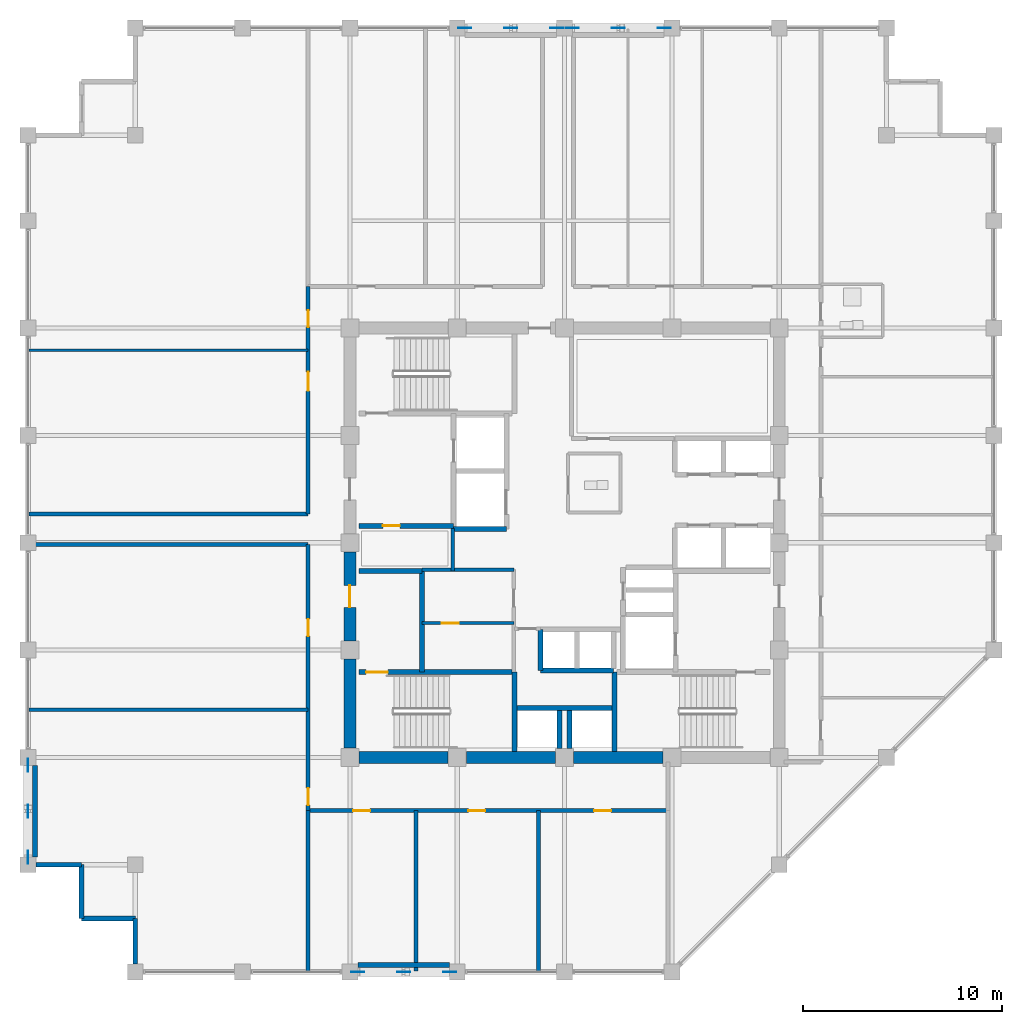
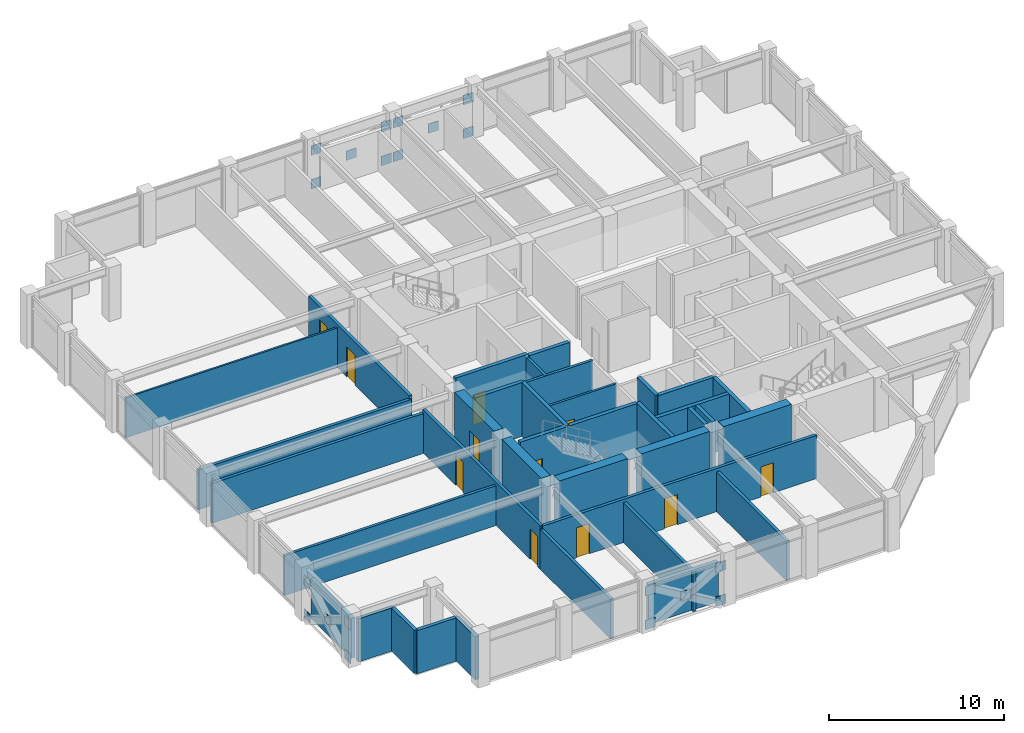
# One storey, part 27 of 32: 36 walls, 20 plates, 11 doors, 11 openings.
"""IFC4 building model written with IfcOpenShell, lengths in metres."""

from ifc_helpers import new_model, si_unit, direction, frame, frame_2d, origin, origin_2d, place, context, subcontext, project, spatial, rectangle, extrude, material, layer, layer_set, type_object, element, fill, save


model = new_model("IFC4")

# Units and contexts
model_context = context("Model", 3, precision=1e-05, world=origin(), true_north=direction((0.0, 1.0)))
body_context = subcontext(model_context, "Body", "Model", "MODEL_VIEW")
ifc_project = project(units=[si_unit("LENGTHUNIT", "METRE"), si_unit("AREAUNIT", "SQUARE_METRE"), si_unit("VOLUMEUNIT", "CUBIC_METRE"), si_unit("PLANEANGLEUNIT", "RADIAN"), si_unit("MASSUNIT", "GRAM", prefix="KILO")], contexts=[model_context])

# Site, building, storey
site_placement = place(None, origin())
site = spatial("IfcSite", under=ifc_project, at=site_placement, CompositionType="ELEMENT")
building_placement = place(site_placement, origin())
building = spatial("IfcBuilding", under=site, at=building_placement, Name="Surkhivell Harbour Commons", CompositionType="ELEMENT")
storey_placement = place(building_placement, frame((0.0, 0.0, 219.75)))
storey = spatial("IfcBuildingStorey", under=building, at=storey_placement, Name="L57", CompositionType="ELEMENT", Elevation=219.75)

# Plates
ifc_material_1 = material(Name="Steel S460", Category="steel")
ifc_layer_1 = layer(ifc_material_1, 0.044921875)
ifc_layer_set_1 = layer_set([ifc_layer_1], Name="Steel S460")
plate_type = type_object("IfcPlateType", Name="PLT-GUS-650", PredefinedType="USERDEFINED", material=ifc_layer_set_1)
for number, where, z_axis, x_axis, name in (
    (1, (-5.014892578125, 25.89990234375, -0.08935546875), (0.0, 0.0, 1.0), (1.0, 0.0, 0.0), "L57 Perimeter Mega-Brace MB- Corner Gusset N-1"),
    (2, (-0.385009765625, 25.89990234375, -0.08935546875), (0.0, 0.0, 1.0), (1.0, 0.0, 0.0), "L57 Perimeter Mega-Brace MB- Corner Gusset N-2"),
    (3, (-5.014892578125, 25.89990234375, 2.25146484375), (0.0, 0.0, 1.0), (1.0, 0.0, 0.0), "L57 Perimeter Mega-Brace MB- Corner Gusset N-3"),
    (4, (-0.385009765625, 25.89990234375, 2.25146484375), (0.0, 0.0, 1.0), (1.0, 0.0, 0.0), "L57 Perimeter Mega-Brace MB- Corner Gusset N-4"),
    (5, (-2.699951171875, 25.89990234375, 1.0810546875), (0.0, 0.0, 1.0), (1.0, 0.0, 0.0), "L57 Perimeter Mega-Brace MB- Central Crossing Gusset N"),
    (6, (0.385009765625, 25.89990234375, -0.08935546875), (0.0, 0.0, 1.0), (1.0, 0.0, 0.0), "L57 Perimeter Mega-Brace MB- Corner Gusset N2-1"),
    (7, (5.014892578125, 25.89990234375, -0.08935546875), (0.0, 0.0, 1.0), (1.0, 0.0, 0.0), "L57 Perimeter Mega-Brace MB- Corner Gusset N2-2"),
    (8, (0.385009765625, 25.89990234375, 2.25146484375), (0.0, 0.0, 1.0), (1.0, 0.0, 0.0), "L57 Perimeter Mega-Brace MB- Corner Gusset N2-3"),
    (9, (5.014892578125, 25.89990234375, 2.25146484375), (0.0, 0.0, 1.0), (1.0, 0.0, 0.0), "L57 Perimeter Mega-Brace MB- Corner Gusset N2-4"),
    (10, (2.699951171875, 25.89990234375, 1.0810546875), (0.0, 0.0, 1.0), (1.0, 0.0, 0.0), "L57 Perimeter Mega-Brace MB- Central Crossing Gusset N2"),
    (11, (-10.4150390625, -21.60009765625, -0.08935546875), (0.0, 0.0, 1.0), (1.0, 0.0, 0.0), "L57 Perimeter Mega-Brace MB- Corner Gusset S-1"),
    (12, (-5.784912109375, -21.60009765625, -0.08935546875), (0.0, 0.0, 1.0), (1.0, 0.0, 0.0), "L57 Perimeter Mega-Brace MB- Corner Gusset S-2"),
    (13, (-10.4150390625, -21.60009765625, 2.25146484375), (0.0, 0.0, 1.0), (1.0, 0.0, 0.0), "L57 Perimeter Mega-Brace MB- Corner Gusset S-3"),
    (14, (-5.784912109375, -21.60009765625, 2.25146484375), (0.0, 0.0, 1.0), (1.0, 0.0, 0.0), "L57 Perimeter Mega-Brace MB- Corner Gusset S-4"),
    (15, (-8.10009765625, -21.60009765625, 1.0810546875), (0.0, 0.0, 1.0), (1.0, 0.0, 0.0), "L57 Perimeter Mega-Brace MB- Central Crossing Gusset S"),
    (16, (-27.0, -15.81494140625, -0.08935546875), (0.0, 0.0, 1.0), (0.0, 1.0, 0.0), "L57 Perimeter Mega-Brace MB- Corner Gusset W-1"),
    (17, (-27.0, -11.18505859375, -0.08935546875), (0.0, 0.0, 1.0), (0.0, 1.0, 0.0), "L57 Perimeter Mega-Brace MB- Corner Gusset W-2"),
    (18, (-27.0, -15.81494140625, 2.25146484375), (0.0, 0.0, 1.0), (0.0, 1.0, 0.0), "L57 Perimeter Mega-Brace MB- Corner Gusset W-3"),
    (19, (-27.0, -11.18505859375, 2.25146484375), (0.0, 0.0, 1.0), (0.0, 1.0, 0.0), "L57 Perimeter Mega-Brace MB- Corner Gusset W-4"),
    (20, (-27.0, -13.5, 1.0810546875), (0.0, 0.0, 1.0), (0.0, 1.0, 0.0), "L57 Perimeter Mega-Brace MB- Central Crossing Gusset W"),
):
    element("IfcPlate", number, at=place(storey_placement, frame(where, z_axis=z_axis, x_axis=x_axis)), inside=storey, type_object=plate_type, Name=name, ObjectType="GUSSET_PLATE", PredefinedType="USERDEFINED", context=body_context, shape_type="SweptSolid", body=[
        extrude(rectangle(XDim=0.64990234375, YDim=0.044921875, at=origin_2d()), origin(), (0.0, 0.0, 1.0), 0.64990234375),
    ])

# Walls
ifc_material_2 = material(Name="Concrete C60/75", Category="concrete")
ifc_layer_2 = layer(ifc_material_2, 0.60009765625)
ifc_layer_set_2 = layer_set([ifc_layer_2], Name="Concrete C60/75")
wall_type_1 = type_object("IfcWallType", Name="WAL-CORE-600", PredefinedType="SHEAR", material=ifc_layer_set_2)
for number, where, z_axis, x_axis, name in (
    (21, (-10.340087890625, -10.800048828125, 0.0), (0.0, 0.0, 1.0), (1.0, 0.0, 0.0), "L57 Core Shear Wall South 1"),
    (22, (-10.800048828125, -10.340087890625, 0.0), (0.0, 0.0, 1.0), (0.0, 1.0, 0.0), "L57 Core Shear Wall West 1"),
    (23, (-4.93994140625, -10.800048828125, 0.0), (0.0, 0.0, 1.0), (1.0, 0.0, 0.0), "L57 Core Shear Wall South 2"),
):
    element("IfcWall", number, at=place(storey_placement, frame(where, z_axis=z_axis, x_axis=x_axis)), inside=storey, type_object=wall_type_1, Name=name, PredefinedType="SHEAR", context=body_context, shape_type="SweptSolid", body=[
        extrude(rectangle(XDim=4.47998046875, YDim=0.60009765625, at=frame_2d((2.239990234375, 0.0))), origin(), (0.0, 0.0, 1.0), 3.75),
    ])

# Wall, opening, door
wall_1_placement = place(storey_placement, frame((-10.800048828125, -4.93994140625, 0.0), z_axis=(0.0, 0.0, 1.0), x_axis=(0.0, 1.0, 0.0)))
wall_1 = element("IfcWall", 24, at=wall_1_placement, inside=storey, type_object=wall_type_1, Name="L57 Core Shear Wall West 2", PredefinedType="SHEAR", context=body_context, shape_type="SweptSolid", body=[
    extrude(rectangle(XDim=4.47998046875, YDim=0.60009765625, at=frame_2d((2.239990234375, 0.0))), origin(), (0.0, 0.0, 1.0), 3.75),
])
opening_1_placement = place(wall_1_placement, frame((1.68994140625, 0.0, 0.0)))
opening_1 = element("IfcOpeningElement", 25, at=opening_1_placement, cuts=wall_1, Name="Opening ID-2", PredefinedType="OPENING", context=body_context, shape_type="SweptSolid", body=[
    extrude(rectangle(XDim=1.10009765625, YDim=2.10009765625, at=frame_2d((0.550048828125, 1.050048828125))), frame((0.0, 0.31005859375, 0.0), z_axis=(0.0, -1.0, 0.0), x_axis=(1.0, 0.0, 0.0)), (0.0, 0.0, 1.0), 0.6201171875),
])
ifc_material_3 = material(Name="Hardwood-veneered fire-rated door leaf", Category="wood")
door_type_1 = type_object("IfcDoorType", Name="DOR-FD60-1100", OperationType="NOTDEFINED", PredefinedType="DOOR", material=ifc_material_3)
door_1_placement = place(opening_1_placement, origin())
door_1 = element("IfcDoor", 26, at=door_1_placement, inside=storey, type_object=door_type_1, Name="L57 Stair 3 Lobby Corridor Door", OperationType="SINGLE_SWING_LEFT", OverallHeight=2.10009765625, OverallWidth=1.10009765625, PredefinedType="DOOR", context=body_context, shape_type="SweptSolid", body=[
    extrude(rectangle(XDim=1.10009765625, YDim=2.10009765625, at=frame_2d((0.550048828125, 1.050048828125))), frame((0.0, 0.02490234375, 0.0), z_axis=(0.0, -1.0, 0.0), x_axis=(1.0, 0.0, 0.0)), (0.0, 0.0, 1.0), 0.050048828125),
])
fill(opening_1, door_1)

# Walls
wall_2_placement = place(storey_placement, frame((0.4599609375, -10.800048828125, 0.0), z_axis=(0.0, 0.0, 1.0), x_axis=(1.0, 0.0, 0.0)))
element("IfcWall", 27, at=wall_2_placement, inside=storey, type_object=wall_type_1, Name="L57 Core Shear Wall South 3", PredefinedType="SHEAR", context=body_context, shape_type="SweptSolid", body=[
    extrude(rectangle(XDim=4.47998046875, YDim=0.60009765625, at=frame_2d((2.239990234375, 0.0))), origin(), (0.0, 0.0, 1.0), 3.75),
])
ifc_material_4 = material(Name="Pale-metal insulated precast concrete C45/55", Category="concrete")
ifc_layer_3 = layer(ifc_material_4, 0.260009765625)
ifc_layer_set_3 = layer_set([ifc_layer_3], Name="Pale-metal insulated precast concrete C45/55")
wall_type_2 = type_object("IfcWallType", Name="WAL-EXT-MTL260", PredefinedType="STANDARD", material=ifc_layer_set_3)
for number, where, z_axis, x_axis, name in (
    (28, (-10.402099609375, -21.239990234375, 0.0), (0.0, 0.0, 1.0), (1.0, 0.0, 0.0), "L57 Braced-Bay Insulated Spandrel Backing S"),
    (29, (-26.639892578125, -11.197998046875, 0.0), (0.0, 0.0, 1.0), (0.0, -1.0, 0.0), "L57 Braced-Bay Insulated Spandrel Backing W"),
):
    element("IfcWall", number, at=place(storey_placement, frame(where, z_axis=z_axis, x_axis=x_axis)), inside=storey, type_object=wall_type_2, Name=name, PredefinedType="STANDARD", context=body_context, shape_type="SweptSolid", body=[
        extrude(rectangle(XDim=4.60400390625, YDim=0.260009765625, at=frame_2d((2.302001953125, 0.0))), origin(), (0.0, 0.0, 1.0), 2.780029296875),
    ])
ifc_material_5 = material(Name="Bronze-ochre cassette precast concrete C45/55", Category="concrete")
ifc_layer_4 = layer(ifc_material_5, 0.239990234375)
ifc_layer_set_4 = layer_set([ifc_layer_4], Name="Bronze-ochre cassette precast concrete C45/55")
wall_type_3 = type_object("IfcWallType", Name="WAL-EXT-OCH240", PredefinedType="STANDARD", material=ifc_layer_set_4)
wall_3_placement = place(storey_placement, frame((-26.60205078125, -16.199951171875, 0.0), z_axis=(0.0, 0.0, 1.0), x_axis=(1.0, 0.0, 0.0)))
element("IfcWall", 30, at=wall_3_placement, inside=storey, type_object=wall_type_3, Name="L57 Serrated Corner Facade Wall 13", PredefinedType="STANDARD", context=body_context, shape_type="SweptSolid", body=[
    extrude(rectangle(XDim=2.302001953125, YDim=0.239990234375, at=frame_2d((1.15087890625, 0.0))), origin(), (0.0, 0.0, 1.0), 3.006103515625),
])
for number, where, z_axis, x_axis, name in (
    (31, (-24.300048828125, -16.199951171875, 0.0), (0.0, 0.0, 1.0), (0.0, -1.0, 0.0), "L57 Serrated Corner Facade Wall 14"),
    (32, (-24.300048828125, -18.89990234375, 0.0), (0.0, 0.0, 1.0), (1.0, 0.0, 0.0), "L57 Serrated Corner Facade Wall 15"),
):
    element("IfcWall", number, at=place(storey_placement, frame(where, z_axis=z_axis, x_axis=x_axis)), inside=storey, type_object=wall_type_3, Name=name, PredefinedType="STANDARD", context=body_context, shape_type="SweptSolid", body=[
        extrude(rectangle(XDim=2.699951171875, YDim=0.239990234375, at=frame_2d((1.35009765625, 0.0))), origin(), (0.0, 0.0, 1.0), 3.006103515625),
    ])
wall_4_placement = place(storey_placement, frame((-21.60009765625, -18.89990234375, 0.0), z_axis=(0.0, 0.0, 1.0), x_axis=(0.0, -1.0, 0.0)))
element("IfcWall", 33, at=wall_4_placement, inside=storey, type_object=wall_type_3, Name="L57 Serrated Corner Facade Wall 16", PredefinedType="STANDARD", context=body_context, shape_type="SweptSolid", body=[
    extrude(rectangle(XDim=2.302001953125, YDim=0.239990234375, at=frame_2d((1.15087890625, 0.0))), origin(), (0.0, 0.0, 1.0), 3.006103515625),
])
ifc_material_6 = material(Name="Moisture-resistant acoustic stud partition", Category="other")
ifc_layer_5 = layer(ifc_material_6, 0.125)
ifc_layer_set_5 = layer_set([ifc_layer_5], Name="Moisture-resistant acoustic stud partition")
wall_type_4 = type_object("IfcWallType", Name="WAL-INT-125", PredefinedType="PARTITIONING", material=ifc_layer_set_5)
wall_5_placement = place(storey_placement, frame((-26.93994140625, 9.68994140625, 0.0), z_axis=(0.0, 0.0, 1.0), x_axis=(1.0, 0.0, 0.0)))
element("IfcWall", 34, at=wall_5_placement, inside=storey, type_object=wall_type_4, Name="L57 North-West Partition P1", PredefinedType="PARTITIONING", context=body_context, shape_type="SweptSolid", body=[
    extrude(rectangle(XDim=14.0400390625, YDim=0.125, at=frame_2d((7.02001953125, 0.0))), origin(), (0.0, 0.0, 1.0), 2.780029296875),
])

# Wall, opening, door
ifc_material_7 = material(Name="Twin-stud acoustic fireboard partition", Category="other")
ifc_layer_6 = layer(ifc_material_7, 0.14990234375)
ifc_layer_set_6 = layer_set([ifc_layer_6], Name="Twin-stud acoustic fireboard partition")
wall_type_5 = type_object("IfcWallType", Name="WAL-INT-150", PredefinedType="PARTITIONING", material=ifc_layer_set_6)
wall_6_placement = place(storey_placement, frame((-7.179931640625, -4.050048828125, 0.0), z_axis=(0.0, 0.0, 1.0), x_axis=(1.0, 0.0, 0.0)))
wall_6 = element("IfcWall", 35, at=wall_6_placement, inside=storey, type_object=wall_type_5, Name="L57 Core Cut A Partition", PredefinedType="PARTITIONING", context=body_context, shape_type="SweptSolid", body=[
    extrude(rectangle(XDim=4.6298828125, YDim=0.14990234375, at=frame_2d((2.31494140625, 0.0))), origin(), (0.0, 0.0, 1.0), 3.570068359375),
])
opening_2_placement = place(wall_6_placement, frame((1.0, 0.0, 0.0)))
opening_2 = element("IfcOpeningElement", 36, at=opening_2_placement, cuts=wall_6, Name="Opening ID-6", PredefinedType="OPENING", context=body_context, shape_type="SweptSolid", body=[
    extrude(rectangle(XDim=0.85009765625, YDim=2.10009765625, at=frame_2d((0.425048828125, 1.050048828125))), frame((0.0, 0.0849609375, 0.0), z_axis=(0.0, -1.0, 0.0), x_axis=(1.0, 0.0, 0.0)), (0.0, 0.0, 1.0), 0.169921875),
])
door_type_2 = type_object("IfcDoorType", Name="DOR-FD30-850", OperationType="NOTDEFINED", PredefinedType="DOOR", material=ifc_material_3)
door_2_placement = place(opening_2_placement, origin())
door_2 = element("IfcDoor", 37, at=door_2_placement, inside=storey, type_object=door_type_2, Name="L57 Linen Room Door", OperationType="SINGLE_SWING_RIGHT", OverallHeight=2.10009765625, OverallWidth=0.85009765625, PredefinedType="DOOR", context=body_context, shape_type="SweptSolid", body=[
    extrude(rectangle(XDim=0.85009765625, YDim=2.10009765625, at=frame_2d((0.425048828125, 1.050048828125))), frame((0.0, 0.02490234375, 0.0), z_axis=(0.0, -1.0, 0.0), x_axis=(1.0, 0.0, 0.0)), (0.0, 0.0, 1.0), 0.050048828125),
])
fill(opening_2, door_2)

# Walls
ifc_material_8 = material(Name="High-density acoustic blockwork fire partition", Category="masonry")
ifc_layer_7 = layer(ifc_material_8, 0.175048828125)
ifc_layer_set_7 = layer_set([ifc_layer_7], Name="High-density acoustic blockwork fire partition")
wall_type_6 = type_object("IfcWallType", Name="WAL-INT-175", PredefinedType="PARTITIONING", material=ifc_layer_set_7)
wall_7_placement = place(storey_placement, frame((-7.179931640625, -1.35009765625, 0.0), z_axis=(0.0, 0.0, 1.0), x_axis=(1.0, 0.0, 0.0)))
element("IfcWall", 38, at=wall_7_placement, inside=storey, type_object=wall_type_6, Name="L57 Core Service Bay North Wall", PredefinedType="PARTITIONING", context=body_context, shape_type="SweptSolid", body=[
    extrude(rectangle(XDim=4.6298828125, YDim=0.175048828125, at=frame_2d((2.31494140625, 0.0))), origin(), (0.0, 0.0, 1.0), 3.570068359375),
])
wall_8_placement = place(storey_placement, frame((-5.6201171875, -1.419921875, 0.0), z_axis=(0.0, 0.0, 1.0), x_axis=(0.0, 1.0, 0.0)))
element("IfcWall", 39, at=wall_8_placement, inside=storey, type_object=wall_type_6, Name="L57 West Core Bay East Wall", PredefinedType="PARTITIONING", context=body_context, shape_type="SweptSolid", body=[
    extrude(rectangle(XDim=2.139892578125, YDim=0.175048828125, at=frame_2d((1.06982421875, 0.0))), origin(), (0.0, 0.0, 1.0), 3.570068359375),
])
wall_9_placement = place(storey_placement, frame((-26.93994140625, -8.39990234375, 0.0), z_axis=(0.0, 0.0, 1.0), x_axis=(1.0, 0.0, 0.0)))
element("IfcWall", 40, at=wall_9_placement, inside=storey, type_object=wall_type_6, Name="L57 South-West Partition P1", PredefinedType="PARTITIONING", context=body_context, shape_type="SweptSolid", body=[
    extrude(rectangle(XDim=14.0400390625, YDim=0.175048828125, at=frame_2d((7.02001953125, 0.0))), origin(), (0.0, 0.0, 1.0), 2.780029296875),
])
ifc_material_9 = material(Name="Autoclaved aerated concrete blockwork and fire plaster", Category="masonry")
ifc_layer_8 = layer(ifc_material_9, 0.199951171875)
ifc_layer_set_8 = layer_set([ifc_layer_8], Name="Autoclaved aerated concrete blockwork and fire plaster")
wall_type_7 = type_object("IfcWallType", Name="WAL-INT-200", PredefinedType="PARTITIONING", material=ifc_layer_set_8)
wall_10_placement = place(storey_placement, frame((-12.89990234375, -21.5400390625, 0.0), z_axis=(0.0, 0.0, 1.0), x_axis=(0.0, 1.0, 0.0)))
element("IfcWall", 41, at=wall_10_placement, inside=storey, type_object=wall_type_7, Name="L57 South-West Corner Wall", PredefinedType="PARTITIONING", context=body_context, shape_type="SweptSolid", body=[
    extrude(rectangle(XDim=8.06005859375, YDim=0.199951171875, at=frame_2d((4.030029296875, 0.0))), origin(), (0.0, 0.0, 1.0), 2.780029296875),
])

# Wall, openings, doors
wall_11_placement = place(storey_placement, frame((-12.89990234375, -13.47998046875, 0.0), z_axis=(0.0, 0.0, 1.0), x_axis=(1.0, 0.0, 0.0)))
wall_11 = element("IfcWall", 42, at=wall_11_placement, inside=storey, type_object=wall_type_7, Name="L57 Corridor South Wall", PredefinedType="PARTITIONING", context=body_context, shape_type="SweptSolid", body=[
    extrude(rectangle(XDim=18.099853515625, YDim=0.199951171875, at=frame_2d((9.0498046875, 0.0))), origin(), (0.0, 0.0, 1.0), 3.006103515625),
])
opening_3_placement = place(wall_11_placement, frame((2.264892578125, 0.0, 0.0)))
opening_3 = element("IfcOpeningElement", 43, at=opening_3_placement, cuts=wall_11, Name="Opening ID-6", PredefinedType="OPENING", context=body_context, shape_type="SweptSolid", body=[
    extrude(rectangle(XDim=0.85009765625, YDim=2.10009765625, at=frame_2d((0.425048828125, 1.050048828125))), frame((0.0, 0.10986328125, 0.0), z_axis=(0.0, -1.0, 0.0), x_axis=(1.0, 0.0, 0.0)), (0.0, 0.0, 1.0), 0.219970703125),
])
opening_4_placement = place(wall_11_placement, frame((8.054931640625, 0.0, 0.0)))
opening_4 = element("IfcOpeningElement", 44, at=opening_4_placement, cuts=wall_11, Name="Opening ID-6", PredefinedType="OPENING", context=body_context, shape_type="SweptSolid", body=[
    extrude(rectangle(XDim=0.85009765625, YDim=2.10009765625, at=frame_2d((0.425048828125, 1.050048828125))), frame((0.0, 0.10986328125, 0.0), z_axis=(0.0, -1.0, 0.0), x_axis=(1.0, 0.0, 0.0)), (0.0, 0.0, 1.0), 0.219970703125),
])
opening_5_placement = place(wall_11_placement, frame((14.389892578125, 0.0, 0.0)))
opening_5 = element("IfcOpeningElement", 45, at=opening_5_placement, cuts=wall_11, Name="Opening ID-6", PredefinedType="OPENING", context=body_context, shape_type="SweptSolid", body=[
    extrude(rectangle(XDim=0.85009765625, YDim=2.10009765625, at=frame_2d((0.425048828125, 1.050048828125))), frame((0.0, 0.10986328125, 0.0), z_axis=(0.0, -1.0, 0.0), x_axis=(1.0, 0.0, 0.0)), (0.0, 0.0, 1.0), 0.219970703125),
])
door_3_placement = place(opening_3_placement, origin())
door_3 = element("IfcDoor", 46, at=door_3_placement, inside=storey, type_object=door_type_2, Name="L57 Resident Tutor Staff Room 1 South Door", OperationType="SINGLE_SWING_RIGHT", OverallHeight=2.10009765625, OverallWidth=0.85009765625, PredefinedType="DOOR", context=body_context, shape_type="SweptSolid", body=[
    extrude(rectangle(XDim=0.85009765625, YDim=2.10009765625, at=frame_2d((0.425048828125, 1.050048828125))), frame((0.0, 0.02490234375, 0.0), z_axis=(0.0, -1.0, 0.0), x_axis=(1.0, 0.0, 0.0)), (0.0, 0.0, 1.0), 0.050048828125),
])
fill(opening_3, door_3)
door_4_placement = place(opening_4_placement, origin())
door_4 = element("IfcDoor", 47, at=door_4_placement, inside=storey, type_object=door_type_2, Name="L57 Resident Warden Staff Office 2 South Door", OperationType="SINGLE_SWING_LEFT", OverallHeight=2.10009765625, OverallWidth=0.85009765625, PredefinedType="DOOR", context=body_context, shape_type="SweptSolid", body=[
    extrude(rectangle(XDim=0.85009765625, YDim=2.10009765625, at=frame_2d((0.425048828125, 1.050048828125))), frame((0.0, 0.02490234375, 0.0), z_axis=(0.0, -1.0, 0.0), x_axis=(1.0, 0.0, 0.0)), (0.0, 0.0, 1.0), 0.050048828125),
])
fill(opening_4, door_4)
door_5_placement = place(opening_5_placement, origin())
door_5 = element("IfcDoor", 48, at=door_5_placement, inside=storey, type_object=door_type_2, Name="L57 Campus Bursar Staff Office 3 South Door", OperationType="SINGLE_SWING_RIGHT", OverallHeight=2.10009765625, OverallWidth=0.85009765625, PredefinedType="DOOR", context=body_context, shape_type="SweptSolid", body=[
    extrude(rectangle(XDim=0.85009765625, YDim=2.10009765625, at=frame_2d((0.425048828125, 1.050048828125))), frame((0.0, 0.02490234375, 0.0), z_axis=(0.0, -1.0, 0.0), x_axis=(1.0, 0.0, 0.0)), (0.0, 0.0, 1.0), 0.050048828125),
])
fill(opening_5, door_5)

# Walls
for number, where, z_axis, x_axis, name in (
    (49, (-26.93994140625, 1.449951171875, 0.0), (0.0, 0.0, 1.0), (1.0, 0.0, 0.0), "L57 West Spur North Wall"),
    (50, (-26.93994140625, -0.10009765625, 0.0), (0.0, 0.0, 1.0), (1.0, 0.0, 0.0), "L57 West Spur South Wall"),
):
    element("IfcWall", number, at=place(storey_placement, frame(where, z_axis=z_axis, x_axis=x_axis)), inside=storey, type_object=wall_type_7, Name=name, PredefinedType="PARTITIONING", context=body_context, shape_type="SweptSolid", body=[
        extrude(rectangle(XDim=14.0400390625, YDim=0.199951171875, at=frame_2d((7.02001953125, 0.0))), origin(), (0.0, 0.0, 1.0), 2.780029296875),
    ])

# Wall, openings, doors
wall_12_placement = place(storey_placement, frame((-12.89990234375, 1.449951171875, 0.0), z_axis=(0.0, 0.0, 1.0), x_axis=(0.0, 1.0, 0.0)))
wall_12 = element("IfcWall", 51, at=wall_12_placement, inside=storey, type_object=wall_type_7, Name="L57 Corridor West-Upper Wall", PredefinedType="PARTITIONING", context=body_context, shape_type="SweptSolid", body=[
    extrude(rectangle(XDim=11.449951171875, YDim=0.199951171875, at=frame_2d((5.72509765625, 0.0))), origin(), (0.0, 0.0, 1.0), 3.006103515625),
])
opening_6_placement = place(wall_12_placement, frame((6.194091796875, 0.0, 0.0)))
opening_6 = element("IfcOpeningElement", 52, at=opening_6_placement, cuts=wall_12, Name="Opening ID-4", PredefinedType="OPENING", context=body_context, shape_type="SweptSolid", body=[
    extrude(rectangle(XDim=0.949951171875, YDim=2.10009765625, at=frame_2d((0.47509765625, 1.050048828125))), frame((0.0, 0.10986328125, 0.0), z_axis=(0.0, -1.0, 0.0), x_axis=(1.0, 0.0, 0.0)), (0.0, 0.0, 1.0), 0.219970703125),
])
opening_7_placement = place(wall_12_placement, frame((9.39501953125, 0.0, 0.0)))
opening_7 = element("IfcOpeningElement", 53, at=opening_7_placement, cuts=wall_12, Name="Opening ID-6", PredefinedType="OPENING", context=body_context, shape_type="SweptSolid", body=[
    extrude(rectangle(XDim=0.85009765625, YDim=2.10009765625, at=frame_2d((0.425048828125, 1.050048828125))), frame((0.0, 0.10986328125, 0.0), z_axis=(0.0, -1.0, 0.0), x_axis=(1.0, 0.0, 0.0)), (0.0, 0.0, 1.0), 0.219970703125),
])
door_6_placement = place(opening_7_placement, origin())
door_6 = element("IfcDoor", 54, at=door_6_placement, inside=storey, type_object=door_type_2, Name="L57 Resident Advisory Reception Desk North-West Door", OperationType="SINGLE_SWING_LEFT", OverallHeight=2.10009765625, OverallWidth=0.85009765625, PredefinedType="DOOR", context=body_context, shape_type="SweptSolid", body=[
    extrude(rectangle(XDim=0.85009765625, YDim=2.10009765625, at=frame_2d((0.425048828125, 1.050048828125))), frame((0.0, 0.02490234375, 0.0), z_axis=(0.0, -1.0, 0.0), x_axis=(1.0, 0.0, 0.0)), (0.0, 0.0, 1.0), 0.050048828125),
])
fill(opening_7, door_6)
door_type_3 = type_object("IfcDoorType", Name="DOR-FD60-950", OperationType="NOTDEFINED", PredefinedType="DOOR", material=ifc_material_3)
door_7_placement = place(opening_6_placement, origin())
door_7 = element("IfcDoor", 55, at=door_7_placement, inside=storey, type_object=door_type_3, Name="L57 Zone Concierge Reception Foyer North-West Door", OperationType="SINGLE_SWING_RIGHT", OverallHeight=2.10009765625, OverallWidth=0.949951171875, PredefinedType="DOOR", context=body_context, shape_type="SweptSolid", body=[
    extrude(rectangle(XDim=0.949951171875, YDim=2.10009765625, at=frame_2d((0.47509765625, 1.050048828125))), frame((0.0, 0.02490234375, 0.0), z_axis=(0.0, -1.0, 0.0), x_axis=(1.0, 0.0, 0.0)), (0.0, 0.0, 1.0), 0.050048828125),
])
fill(opening_6, door_7)

wall_13_placement = place(storey_placement, frame((-12.89990234375, -13.47998046875, 0.0), z_axis=(0.0, 0.0, 1.0), x_axis=(0.0, 1.0, 0.0)))
wall_13 = element("IfcWall", 56, at=wall_13_placement, inside=storey, type_object=wall_type_7, Name="L57 Corridor West-Lower Wall", PredefinedType="PARTITIONING", context=body_context, shape_type="SweptSolid", body=[
    extrude(rectangle(XDim=13.3798828125, YDim=0.199951171875, at=frame_2d((6.68994140625, 0.0))), origin(), (0.0, 0.0, 1.0), 3.006103515625),
])
opening_8_placement = place(wall_13_placement, frame((0.280029296875, 0.0, 0.0)))
opening_8 = element("IfcOpeningElement", 57, at=opening_8_placement, cuts=wall_13, Name="Opening ID-6", PredefinedType="OPENING", context=body_context, shape_type="SweptSolid", body=[
    extrude(rectangle(XDim=0.85009765625, YDim=2.10009765625, at=frame_2d((0.425048828125, 1.050048828125))), frame((0.0, 0.10986328125, 0.0), z_axis=(0.0, -1.0, 0.0), x_axis=(1.0, 0.0, 0.0)), (0.0, 0.0, 1.0), 0.219970703125),
])
opening_9_placement = place(wall_13_placement, frame((8.780029296875, 0.0, 0.0)))
opening_9 = element("IfcOpeningElement", 58, at=opening_9_placement, cuts=wall_13, Name="Opening ID-6", PredefinedType="OPENING", context=body_context, shape_type="SweptSolid", body=[
    extrude(rectangle(XDim=0.85009765625, YDim=2.10009765625, at=frame_2d((0.425048828125, 1.050048828125))), frame((0.0, 0.10986328125, 0.0), z_axis=(0.0, -1.0, 0.0), x_axis=(1.0, 0.0, 0.0)), (0.0, 0.0, 1.0), 0.219970703125),
])
door_8_placement = place(opening_8_placement, origin())
door_8 = element("IfcDoor", 59, at=door_8_placement, inside=storey, type_object=door_type_2, Name="L57 Harbour Reading Library South-West Door", OperationType="SINGLE_SWING_RIGHT", OverallHeight=2.10009765625, OverallWidth=0.85009765625, PredefinedType="DOOR", context=body_context, shape_type="SweptSolid", body=[
    extrude(rectangle(XDim=0.85009765625, YDim=2.10009765625, at=frame_2d((0.425048828125, 1.050048828125))), frame((0.0, 0.02490234375, 0.0), z_axis=(0.0, -1.0, 0.0), x_axis=(1.0, 0.0, 0.0)), (0.0, 0.0, 1.0), 0.050048828125),
])
fill(opening_8, door_8)
door_9_placement = place(opening_9_placement, origin())
door_9 = element("IfcDoor", 60, at=door_9_placement, inside=storey, type_object=door_type_2, Name="L57 Communal Dining Hall South-West Door", OperationType="SINGLE_SWING_LEFT", OverallHeight=2.10009765625, OverallWidth=0.85009765625, PredefinedType="DOOR", context=body_context, shape_type="SweptSolid", body=[
    extrude(rectangle(XDim=0.85009765625, YDim=2.10009765625, at=frame_2d((0.425048828125, 1.050048828125))), frame((0.0, 0.02490234375, 0.0), z_axis=(0.0, -1.0, 0.0), x_axis=(1.0, 0.0, 0.0)), (0.0, 0.0, 1.0), 0.050048828125),
])
fill(opening_9, door_9)

# Walls
for number, where, z_axis, x_axis, name in (
    (61, (-7.469970703125, -21.5400390625, 0.0), (0.0, 0.0, 1.0), (0.0, 1.0, 0.0), "L57 South Partition P1"),
    (62, (-1.320068359375, -21.5400390625, 0.0), (0.0, 0.0, 1.0), (0.0, 1.0, 0.0), "L57 South Partition P2"),
):
    element("IfcWall", number, at=place(storey_placement, frame(where, z_axis=z_axis, x_axis=x_axis)), inside=storey, type_object=wall_type_7, Name=name, PredefinedType="PARTITIONING", context=body_context, shape_type="SweptSolid", body=[
        extrude(rectangle(XDim=8.06005859375, YDim=0.199951171875, at=frame_2d((4.030029296875, 0.0))), origin(), (0.0, 0.0, 1.0), 2.780029296875),
    ])

# Wall, opening, door
ifc_material_10 = material(Name="Concrete C50/60", Category="concrete")
ifc_layer_9 = layer(ifc_material_10, 0.25)
ifc_layer_set_9 = layer_set([ifc_layer_9], Name="Concrete C50/60")
wall_type_8 = type_object("IfcWallType", Name="WAL-SHAFT-250", PredefinedType="SHEAR", material=ifc_layer_set_9)
wall_14_placement = place(storey_placement, frame((-10.340087890625, 0.85009765625, 0.0), z_axis=(0.0, 0.0, 1.0), x_axis=(1.0, 0.0, 0.0)))
wall_14 = element("IfcWall", 63, at=wall_14_placement, inside=storey, type_object=wall_type_8, Name="L57 Firefighting Lobby 1 South Wall", PredefinedType="SHEAR", context=body_context, shape_type="SweptSolid", body=[
    extrude(rectangle(XDim=4.760009765625, YDim=0.25, at=frame_2d((2.3798828125, 0.0))), origin(), (0.0, 0.0, 1.0), 3.75),
])
opening_10_placement = place(wall_14_placement, frame((1.199951171875, 0.0, 0.0)))
opening_10 = element("IfcOpeningElement", 64, at=opening_10_placement, cuts=wall_14, Name="Opening ID-6", PredefinedType="OPENING", context=body_context, shape_type="SweptSolid", body=[
    extrude(rectangle(XDim=0.85009765625, YDim=2.10009765625, at=frame_2d((0.425048828125, 1.050048828125))), frame((0.0, 0.135009765625, 0.0), z_axis=(0.0, -1.0, 0.0), x_axis=(1.0, 0.0, 0.0)), (0.0, 0.0, 1.0), 0.27001953125),
])
door_10_placement = place(opening_10_placement, origin())
door_10 = element("IfcDoor", 65, at=door_10_placement, inside=storey, type_object=door_type_2, Name="L57 West Quiet Study Door", OperationType="SINGLE_SWING_RIGHT", OverallHeight=2.10009765625, OverallWidth=0.85009765625, PredefinedType="DOOR", context=body_context, shape_type="SweptSolid", body=[
    extrude(rectangle(XDim=0.85009765625, YDim=2.10009765625, at=frame_2d((0.425048828125, 1.050048828125))), frame((0.0, 0.02490234375, 0.0), z_axis=(0.0, -1.0, 0.0), x_axis=(1.0, 0.0, 0.0)), (0.0, 0.0, 1.0), 0.050048828125),
])
fill(opening_10, door_10)

# Walls
for number, where, z_axis, x_axis, name in (
    (66, (-0.25, -10.35009765625, 0.0), (0.0, 0.0, 1.0), (0.0, 1.0, 0.0), "L57 High-Rise Side Wall S"),
    (67, (0.25, -10.35009765625, 0.0), (0.0, 0.0, 1.0), (0.0, 1.0, 0.0), "L57 High-Rise Side Wall S"),
):
    element("IfcWall", number, at=place(storey_placement, frame(where, z_axis=z_axis, x_axis=x_axis)), inside=storey, type_object=wall_type_8, Name=name, PredefinedType="SHEAR", context=body_context, shape_type="SweptSolid", body=[
        extrude(rectangle(XDim=1.91015625, YDim=0.25, at=frame_2d((0.955078125, 0.0))), origin(), (0.0, 0.0, 1.0), 3.75),
    ])
wall_15_placement = place(storey_placement, frame((-1.219970703125, -6.43994140625, 0.0), z_axis=(0.0, 0.0, 1.0), x_axis=(0.0, 1.0, 0.0)))
element("IfcWall", 68, at=wall_15_placement, inside=storey, type_object=wall_type_8, Name="L57 High-Rise Passage East Shaft Wall", PredefinedType="SHEAR", context=body_context, shape_type="SweptSolid", body=[
    extrude(rectangle(XDim=2.079833984375, YDim=0.25, at=frame_2d((1.0400390625, 0.0))), origin(), (0.0, 0.0, 1.0), 3.75),
])
wall_16_placement = place(storey_placement, frame((-1.219970703125, -6.43994140625, 0.0), z_axis=(0.0, 0.0, 1.0), x_axis=(1.0, 0.0, 0.0)))
element("IfcWall", 69, at=wall_16_placement, inside=storey, type_object=wall_type_8, Name="L57 High-Rise North Front Shaft Wall", PredefinedType="SHEAR", context=body_context, shape_type="SweptSolid", body=[
    extrude(rectangle(XDim=3.669921875, YDim=0.25, at=frame_2d((1.8349609375, 0.0))), origin(), (0.0, 0.0, 1.0), 3.75),
])
wall_17_placement = place(storey_placement, frame((-2.47998046875, -8.320068359375, 0.0), z_axis=(0.0, 0.0, 1.0), x_axis=(1.0, 0.0, 0.0)))
element("IfcWall", 70, at=wall_17_placement, inside=storey, type_object=wall_type_8, Name="L57 High-Rise South Front Shaft Wall", PredefinedType="SHEAR", context=body_context, shape_type="SweptSolid", body=[
    extrude(rectangle(XDim=4.929931640625, YDim=0.25, at=frame_2d((2.46484375, 0.0))), origin(), (0.0, 0.0, 1.0), 3.75),
])
for number, where, z_axis, x_axis, name in (
    (71, (2.510009765625, -10.5, 0.0), (0.0, 0.0, 1.0), (0.0, 1.0, 0.0), "L57 Stair ST2 West Shear Wall"),
    (72, (-2.510009765625, -10.5, 0.0), (0.0, 0.0, 1.0), (0.0, 1.0, 0.0), "L57 Stair ST3 East Shear Wall"),
):
    element("IfcWall", number, at=place(storey_placement, frame(where, z_axis=z_axis, x_axis=x_axis)), inside=storey, type_object=wall_type_8, Name=name, PredefinedType="SHEAR", context=body_context, shape_type="SweptSolid", body=[
        extrude(rectangle(XDim=3.989990234375, YDim=0.25, at=frame_2d((1.9951171875, 0.0))), origin(), (0.0, 0.0, 1.0), 3.75),
    ])
wall_18_placement = place(storey_placement, frame((-7.179931640625, -6.510009765625, 0.0), z_axis=(0.0, 0.0, 1.0), x_axis=(0.0, 1.0, 0.0)))
element("IfcWall", 73, at=wall_18_placement, inside=storey, type_object=wall_type_8, Name="L57 Stair 3 Lobby East Wall", PredefinedType="SHEAR", context=body_context, shape_type="SweptSolid", body=[
    extrude(rectangle(XDim=5.090087890625, YDim=0.25, at=frame_2d((2.544921875, 0.0))), origin(), (0.0, 0.0, 1.0), 3.75),
])
wall_19_placement = place(storey_placement, frame((-10.340087890625, -1.419921875, 0.0), z_axis=(0.0, 0.0, 1.0), x_axis=(1.0, 0.0, 0.0)))
element("IfcWall", 74, at=wall_19_placement, inside=storey, type_object=wall_type_8, Name="L57 Stair 3 Lobby North Wall", PredefinedType="SHEAR", context=body_context, shape_type="SweptSolid", body=[
    extrude(rectangle(XDim=3.16015625, YDim=0.25, at=frame_2d((1.580078125, 0.0))), origin(), (0.0, 0.0, 1.0), 3.75),
])

# Wall, opening, door
wall_20_placement = place(storey_placement, frame((-10.340087890625, -6.510009765625, 0.0), z_axis=(0.0, 0.0, 1.0), x_axis=(1.0, 0.0, 0.0)))
wall_20 = element("IfcWall", 75, at=wall_20_placement, inside=storey, type_object=wall_type_8, Name="L57 Stair ST3 North Shear Wall", PredefinedType="SHEAR", context=body_context, shape_type="SweptSolid", body=[
    extrude(rectangle(XDim=7.7001953125, YDim=0.25, at=frame_2d((3.85009765625, 0.0))), origin(), (0.0, 0.0, 1.0), 3.75),
])
opening_11_placement = place(wall_20_placement, frame((0.35009765625, 0.0, 0.0)))
opening_11 = element("IfcOpeningElement", 76, at=opening_11_placement, cuts=wall_20, Name="Opening ID-2", PredefinedType="OPENING", context=body_context, shape_type="SweptSolid", body=[
    extrude(rectangle(XDim=1.10009765625, YDim=2.10009765625, at=frame_2d((0.550048828125, 1.050048828125))), frame((0.0, 0.135009765625, 0.0), z_axis=(0.0, -1.0, 0.0), x_axis=(1.0, 0.0, 0.0)), (0.0, 0.0, 1.0), 0.27001953125),
])
door_11_placement = place(opening_11_placement, origin())
door_11 = element("IfcDoor", 77, at=door_11_placement, inside=storey, type_object=door_type_1, Name="L57 Stair ST3 Exit Door", OperationType="SINGLE_SWING_RIGHT", OverallHeight=2.10009765625, OverallWidth=1.10009765625, PredefinedType="DOOR", context=body_context, shape_type="SweptSolid", body=[
    extrude(rectangle(XDim=1.10009765625, YDim=2.10009765625, at=frame_2d((0.550048828125, 1.050048828125))), frame((0.0, 0.02490234375, 0.0), z_axis=(0.0, -1.0, 0.0), x_axis=(1.0, 0.0, 0.0)), (0.0, 0.0, 1.0), 0.050048828125),
])
fill(opening_11, door_11)

# Wall
wall_21_placement = place(storey_placement, frame((-5.580078125, 0.679931640625, 0.0), z_axis=(0.0, 0.0, 1.0), x_axis=(1.0, 0.0, 0.0)))
element("IfcWall", 78, at=wall_21_placement, inside=storey, type_object=wall_type_8, Name="L57 SVL1 South Shaft Wall", PredefinedType="SHEAR", context=body_context, shape_type="SweptSolid", body=[
    extrude(rectangle(XDim=2.650146484375, YDim=0.25, at=frame_2d((1.3251953125, 0.0))), origin(), (0.0, 0.0, 1.0), 3.75),
])

save(model, "model.ifc")
